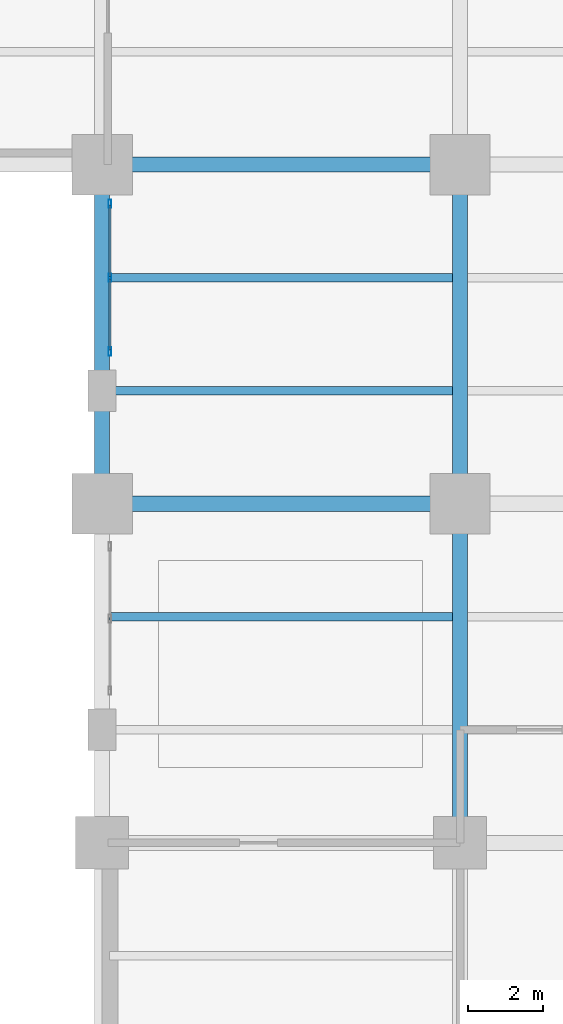
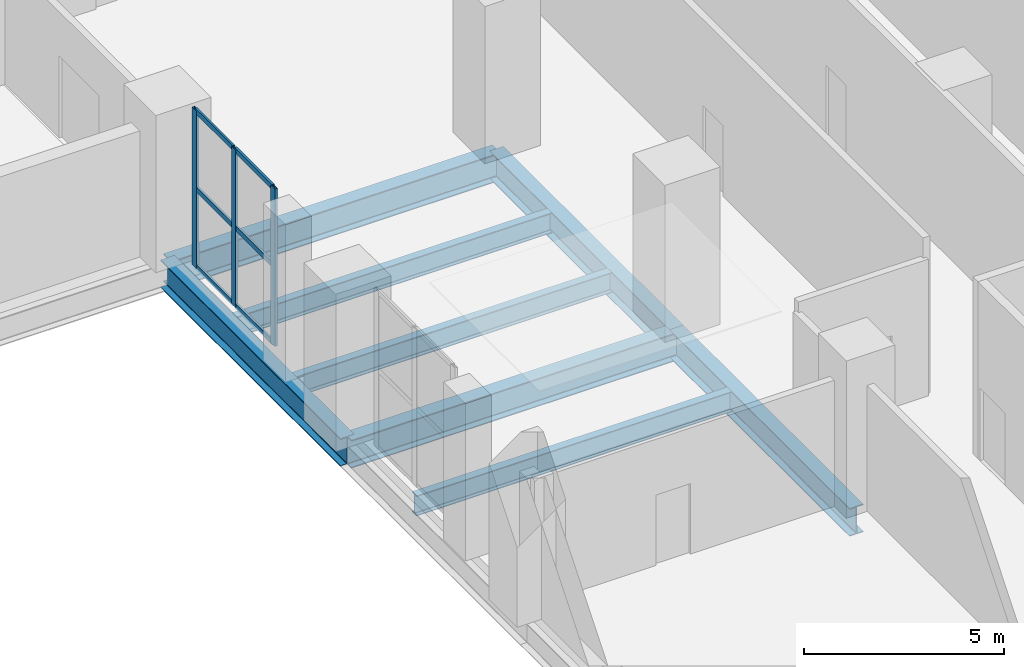
# One storey, part 6 of 13: 9 members, 8 beams, 1 element without a shape of its own.
"""IFC4 building model written with IfcOpenShell, lengths in metres."""

from ifc_helpers import new_model, si_unit, direction, frame, origin, origin_2d, place, context, subcontext, project, spatial, hollow_rectangle, i_section, extrude, material, layer, layer_set, material_profile, profile_set, type_object, element, aggregate, save


model = new_model("IFC4")

# Units and contexts
model_context = context("Model", 3, precision=1e-05, world=origin(), true_north=direction((0.0, 1.0)))
body_context = subcontext(model_context, "Body", "Model", "MODEL_VIEW")
ifc_project = project(units=[si_unit("LENGTHUNIT", "METRE"), si_unit("AREAUNIT", "SQUARE_METRE"), si_unit("VOLUMEUNIT", "CUBIC_METRE"), si_unit("PLANEANGLEUNIT", "RADIAN"), si_unit("MASSUNIT", "GRAM", prefix="KILO")], contexts=[model_context])

# Site, building, storey
site_placement = place(None, origin())
site = spatial("IfcSite", under=ifc_project, at=site_placement, CompositionType="ELEMENT")
building_placement = place(site_placement, origin())
building = spatial("IfcBuilding", under=site, at=building_placement, Name="Mawjdan Bourse Tower", CompositionType="ELEMENT")
storey_placement = place(building_placement, frame((0.0, 0.0, 10.800048828125)))
storey = spatial("IfcBuildingStorey", under=building, at=storey_placement, Name="L02", CompositionType="ELEMENT", Elevation=10.800048828125)

# Beams
ifc_material_1 = material(Name="Structural Steel S355", Category="steel")
ifc_material_profile_1 = material_profile(ifc_material_1, i_section(OverallWidth=0.39892578125, OverallDepth=0.85595703125, WebThickness=0.018310546875, FlangeThickness=0.029296875, FilletRadius=0.0234375, at=origin_2d()), Name="W33X201")
ifc_profile_set_1 = profile_set([ifc_material_profile_1], Name="Structural Steel S355")
beam_type_1 = type_object("IfcBeamType", Name="GRD-W33X201", PredefinedType="BEAM", material=ifc_profile_set_1)
for number, where, z_axis, x_axis, name in (
    (1, (51.0, 21.0, -0.72802734375), (0.0, 1.0, 0.0), (-1.0, 0.0, 0.0), "L02 Podium Primary Girder 028"),
    (2, (60.5, 12.0, -0.72802734375), (0.0, 1.0, 0.0), (-1.0, 0.0, 0.0), "L02 Podium Primary Girder 032"),
    (3, (60.5, 21.0, -0.72802734375), (0.0, 1.0, 0.0), (-1.0, 0.0, 0.0), "L02 Podium Primary Girder 033"),
):
    element("IfcBeam", number, at=place(storey_placement, frame(where, z_axis=z_axis, x_axis=x_axis)), inside=storey, type_object=beam_type_1, Name=name, PredefinedType="BEAM", context=body_context, shape_type="SweptSolid", body=[
        extrude(i_section(OverallWidth=0.39892578125, OverallDepth=0.85595703125, WebThickness=0.018310546875, FlangeThickness=0.029296875, FilletRadius=0.0234375, at=origin_2d()), origin(), (0.0, 0.0, 1.0), 9.0),
    ])
for number, where, z_axis, x_axis, name in (
    (4, (51.0, 21.0, -0.72802734375), (1.0, 0.0, 0.0), (0.0, 1.0, 0.0), "L02 Podium Tie Girder 051"),
    (5, (51.0, 30.0, -0.72802734375), (1.0, 0.0, 0.0), (0.0, 1.0, 0.0), "L02 Podium Tie Girder 059"),
):
    element("IfcBeam", number, at=place(storey_placement, frame(where, z_axis=z_axis, x_axis=x_axis)), inside=storey, type_object=beam_type_1, Name=name, PredefinedType="BEAM", context=body_context, shape_type="SweptSolid", body=[
        extrude(i_section(OverallWidth=0.39892578125, OverallDepth=0.85595703125, WebThickness=0.018310546875, FlangeThickness=0.029296875, FilletRadius=0.0234375, at=origin_2d()), origin(), (0.0, 0.0, 1.0), 9.5),
    ])
ifc_material_profile_2 = material_profile(ifc_material_1, i_section(OverallWidth=0.22998046875, OverallDepth=0.616943359375, WebThickness=0.01318359375, FlangeThickness=0.022216796875, FilletRadius=0.017822265625, at=origin_2d()), Name="W24X94")
ifc_profile_set_2 = profile_set([ifc_material_profile_2], Name="Structural Steel S355")
beam_type_2 = type_object("IfcBeamType", Name="JST-W24X94", PredefinedType="JOIST", material=ifc_profile_set_2)
for number, where, z_axis, x_axis, name in (
    (6, (51.197509765625, 18.0, -0.608642578125), (1.0, 0.0, 0.0), (0.0, 1.0, 0.0), "L02 Composite Floor Joist 089"),
    (7, (51.197509765625, 24.0, -0.608642578125), (1.0, 0.0, 0.0), (0.0, 1.0, 0.0), "L02 Composite Floor Joist 093"),
    (8, (51.197509765625, 27.0, -0.608642578125), (1.0, 0.0, 0.0), (0.0, 1.0, 0.0), "L02 Composite Floor Joist 097"),
):
    element("IfcBeam", number, at=place(storey_placement, frame(where, z_axis=z_axis, x_axis=x_axis)), inside=storey, type_object=beam_type_2, Name=name, PredefinedType="JOIST", context=body_context, shape_type="SweptSolid", body=[
        extrude(i_section(OverallWidth=0.22998046875, OverallDepth=0.616943359375, WebThickness=0.01318359375, FlangeThickness=0.022216796875, FilletRadius=0.017822265625, at=origin_2d()), origin(), (0.0, 0.0, 1.0), 9.10498046875),
    ])

# Curtain wall, members
ifc_material_2 = material(Name="Thermally Broken Aluminium and Solar Glass", Category="aluminium")
ifc_layer = layer(ifc_material_2, 0.219970703125)
ifc_layer_set = layer_set([ifc_layer], Name="Thermally Broken Aluminium and Solar Glass")
curtain_wall_type = type_object("IfcCurtainWallType", Name="CW-ARCH", PredefinedType="USERDEFINED", material=ifc_layer_set)
curtain_wall_placement = place(storey_placement, origin())
curtain_wall = element("IfcCurtainWall", 9, at=curtain_wall_placement, inside=storey, type_object=curtain_wall_type, Name="L02 Giant Arch East Glazed Wall North", ObjectType="ARCHWAY GLAZED CURTAIN WALL", PredefinedType="USERDEFINED")
ifc_material_3 = material(Name="Thermally Broken Anodised Aluminium", Category="aluminium")
ifc_material_profile_3 = material_profile(ifc_material_3, hollow_rectangle(XDim=0.074951171875, YDim=0.219970703125, WallThickness=0.0048828125, at=origin_2d()), Name="ALU-MUL-220X75")
ifc_profile_set_3 = profile_set([ifc_material_profile_3], Name="Thermally Broken Anodised Aluminium")
member_type_1 = type_object("IfcMemberType", Name="MUL-ALU-MUL-220X75", PredefinedType="MULLION", material=ifc_profile_set_3)
member_1_placement = place(storey_placement, frame((51.2099609375, 25.03759765625, 0.0), z_axis=(0.0, 0.0, 1.0), x_axis=(-1.0, 0.0, 0.0)))
member_1 = element("IfcMember", 10, at=member_1_placement, type_object=member_type_1, Name="CW-ARCH-L02-ARCH-E2 mullion 1", PredefinedType="MULLION", context=body_context, shape_type="SweptSolid", body=[
    extrude(hollow_rectangle(XDim=0.074951171875, YDim=0.219970703125, WallThickness=0.0048828125, at=origin_2d()), origin(), (0.0, 0.0, 1.0), 4.800048828125),
])
member_2_placement = place(storey_placement, frame((51.2099609375, 27.0, 0.0), z_axis=(0.0, 0.0, 1.0), x_axis=(-1.0, 0.0, 0.0)))
member_2 = element("IfcMember", 11, at=member_2_placement, type_object=member_type_1, Name="CW-ARCH-L02-ARCH-E2 mullion 2", PredefinedType="MULLION", context=body_context, shape_type="SweptSolid", body=[
    extrude(hollow_rectangle(XDim=0.074951171875, YDim=0.219970703125, WallThickness=0.0048828125, at=origin_2d()), origin(), (0.0, 0.0, 1.0), 4.800048828125),
])
member_3_placement = place(storey_placement, frame((51.2099609375, 28.96240234375, 0.0), z_axis=(0.0, 0.0, 1.0), x_axis=(-1.0, 0.0, 0.0)))
member_3 = element("IfcMember", 12, at=member_3_placement, type_object=member_type_1, Name="CW-ARCH-L02-ARCH-E2 mullion 3", PredefinedType="MULLION", context=body_context, shape_type="SweptSolid", body=[
    extrude(hollow_rectangle(XDim=0.074951171875, YDim=0.219970703125, WallThickness=0.0048828125, at=origin_2d()), origin(), (0.0, 0.0, 1.0), 4.800048828125),
])
ifc_material_profile_4 = material_profile(ifc_material_3, hollow_rectangle(XDim=0.06005859375, YDim=0.155029296875, WallThickness=0.00390625, at=origin_2d()), Name="ALU-TRN-155X60")
ifc_profile_set_4 = profile_set([ifc_material_profile_4], Name="Thermally Broken Anodised Aluminium")
member_type_2 = type_object("IfcMemberType", Name="TRN-ALU-TRN-155X60", PredefinedType="USERDEFINED", material=ifc_profile_set_4)
member_4_placement = place(storey_placement, frame((51.2099609375, 25.074951171875, 0.030029296875), z_axis=(0.0, 1.0, 0.0), x_axis=(-1.0, 0.0, 0.0)))
member_4 = element("IfcMember", 13, at=member_4_placement, type_object=member_type_2, Name="CW-ARCH-L02-ARCH-E2 transom 1.1", ObjectType="TRANSOM", PredefinedType="USERDEFINED", context=body_context, shape_type="SweptSolid", body=[
    extrude(hollow_rectangle(XDim=0.06005859375, YDim=0.155029296875, WallThickness=0.00390625, at=origin_2d()), origin(), (0.0, 0.0, 1.0), 1.887451171875),
])
member_5_placement = place(storey_placement, frame((51.2099609375, 25.074951171875, 2.39990234375), z_axis=(0.0, 1.0, 0.0), x_axis=(-1.0, 0.0, 0.0)))
member_5 = element("IfcMember", 14, at=member_5_placement, type_object=member_type_2, Name="CW-ARCH-L02-ARCH-E2 transom 1.2", ObjectType="TRANSOM", PredefinedType="USERDEFINED", context=body_context, shape_type="SweptSolid", body=[
    extrude(hollow_rectangle(XDim=0.06005859375, YDim=0.155029296875, WallThickness=0.00390625, at=origin_2d()), origin(), (0.0, 0.0, 1.0), 1.887451171875),
])
member_6_placement = place(storey_placement, frame((51.2099609375, 25.074951171875, 4.77001953125), z_axis=(0.0, 1.0, 0.0), x_axis=(-1.0, 0.0, 0.0)))
member_6 = element("IfcMember", 15, at=member_6_placement, type_object=member_type_2, Name="CW-ARCH-L02-ARCH-E2 transom 1.3", ObjectType="TRANSOM", PredefinedType="USERDEFINED", context=body_context, shape_type="SweptSolid", body=[
    extrude(hollow_rectangle(XDim=0.06005859375, YDim=0.155029296875, WallThickness=0.00390625, at=origin_2d()), origin(), (0.0, 0.0, 1.0), 1.887451171875),
])
member_7_placement = place(storey_placement, frame((51.2099609375, 27.03759765625, 0.030029296875), z_axis=(0.0, 1.0, 0.0), x_axis=(-1.0, 0.0, 0.0)))
member_7 = element("IfcMember", 16, at=member_7_placement, type_object=member_type_2, Name="CW-ARCH-L02-ARCH-E2 transom 2.1", ObjectType="TRANSOM", PredefinedType="USERDEFINED", context=body_context, shape_type="SweptSolid", body=[
    extrude(hollow_rectangle(XDim=0.06005859375, YDim=0.155029296875, WallThickness=0.00390625, at=origin_2d()), origin(), (0.0, 0.0, 1.0), 1.887451171875),
])
member_8_placement = place(storey_placement, frame((51.2099609375, 27.03759765625, 2.39990234375), z_axis=(0.0, 1.0, 0.0), x_axis=(-1.0, 0.0, 0.0)))
member_8 = element("IfcMember", 17, at=member_8_placement, type_object=member_type_2, Name="CW-ARCH-L02-ARCH-E2 transom 2.2", ObjectType="TRANSOM", PredefinedType="USERDEFINED", context=body_context, shape_type="SweptSolid", body=[
    extrude(hollow_rectangle(XDim=0.06005859375, YDim=0.155029296875, WallThickness=0.00390625, at=origin_2d()), origin(), (0.0, 0.0, 1.0), 1.887451171875),
])
member_9_placement = place(storey_placement, frame((51.2099609375, 27.03759765625, 4.77001953125), z_axis=(0.0, 1.0, 0.0), x_axis=(-1.0, 0.0, 0.0)))
member_9 = element("IfcMember", 18, at=member_9_placement, type_object=member_type_2, Name="CW-ARCH-L02-ARCH-E2 transom 2.3", ObjectType="TRANSOM", PredefinedType="USERDEFINED", context=body_context, shape_type="SweptSolid", body=[
    extrude(hollow_rectangle(XDim=0.06005859375, YDim=0.155029296875, WallThickness=0.00390625, at=origin_2d()), origin(), (0.0, 0.0, 1.0), 1.887451171875),
])
aggregate(curtain_wall, [member_1, member_2, member_3, member_4, member_5, member_6, member_7, member_8, member_9])

save(model, "model.ifc")
